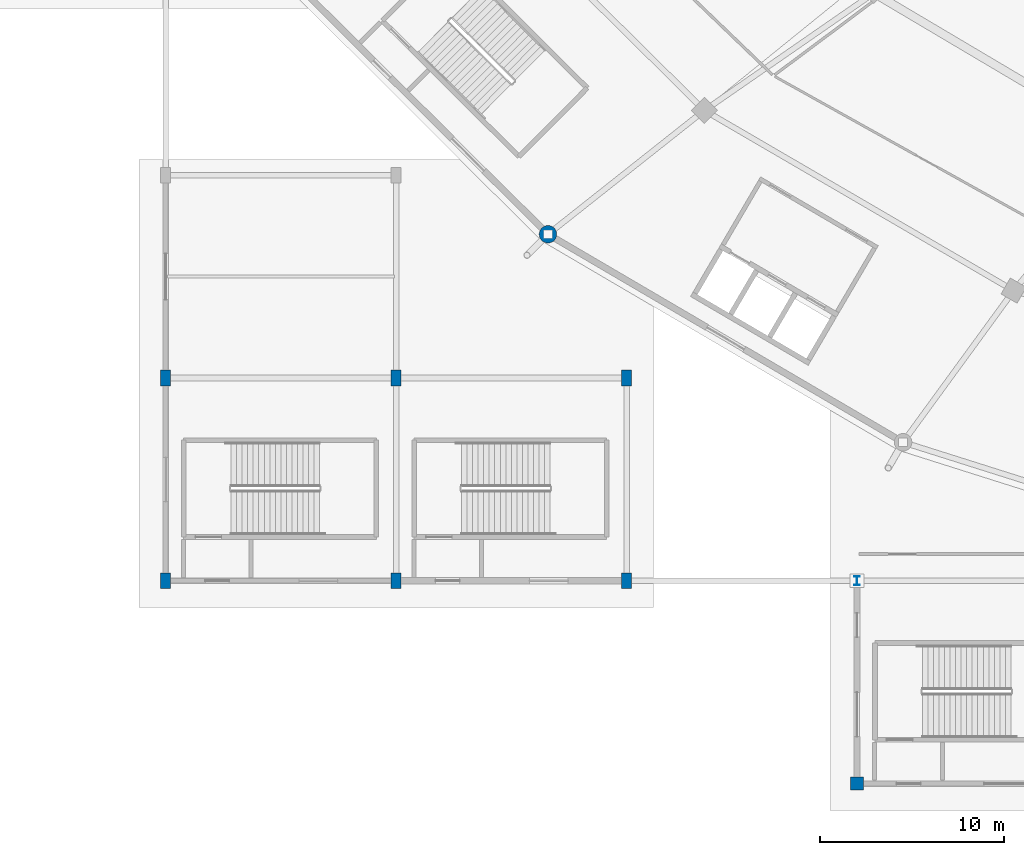
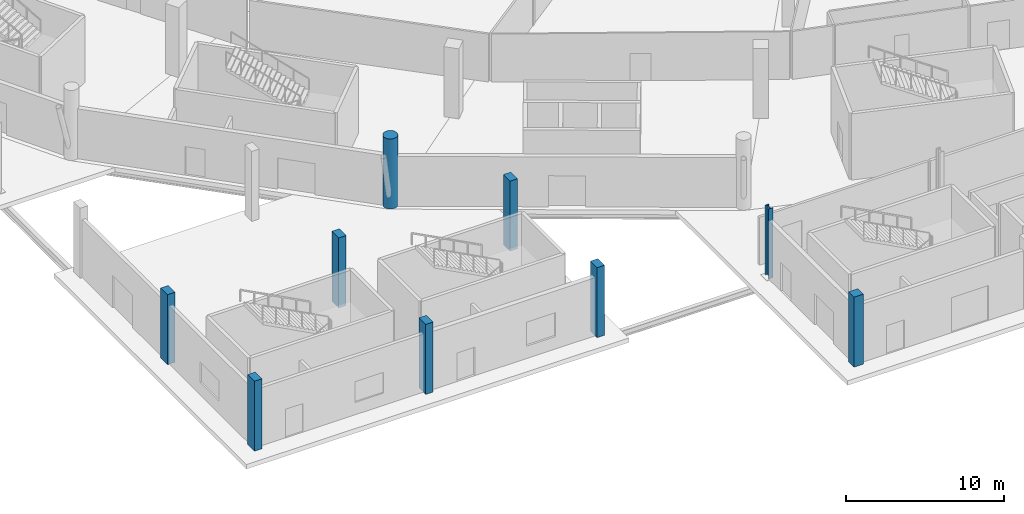
# One storey, part 1 of 82: 9 columns.
"""IFC4 building model written with IfcOpenShell, lengths in metres."""

from ifc_helpers import new_model, si_unit, direction, frame, origin, origin_2d, place, context, subcontext, project, spatial, rectangle, circle, i_section, extrude, material, material_profile, profile_set, type_object, element, save


model = new_model("IFC4")

# Units and contexts
model_context = context("Model", 3, precision=1e-05, world=origin(), true_north=direction((0.0, 1.0)))
body_context = subcontext(model_context, "Body", "Model", "MODEL_VIEW")
ifc_project = project(units=[si_unit("LENGTHUNIT", "METRE"), si_unit("AREAUNIT", "SQUARE_METRE"), si_unit("VOLUMEUNIT", "CUBIC_METRE"), si_unit("PLANEANGLEUNIT", "RADIAN"), si_unit("MASSUNIT", "GRAM", prefix="KILO")], contexts=[model_context])

# Site, building, storey
site_placement = place(None, origin())
site = spatial("IfcSite", under=ifc_project, at=site_placement, CompositionType="ELEMENT")
building_placement = place(site_placement, origin())
building = spatial("IfcBuilding", under=site, at=building_placement, Name="Zlatoyarsky Gate Stadium", CompositionType="ELEMENT")
storey_placement = place(building_placement, origin())
storey = spatial("IfcBuildingStorey", under=building, at=storey_placement, Name="L00", CompositionType="ELEMENT", Elevation=0.0)

# Columns
ifc_material_1 = material(Name="Concrete C40/50", Category="concrete")
ifc_material_profile_1 = material_profile(ifc_material_1, circle(Radius=0.47509765625, at=origin_2d()), Name="RC COL D950")
ifc_profile_set_1 = profile_set([ifc_material_profile_1], Name="Concrete C40/50")
column_type_1 = type_object("IfcColumnType", Name="CONCRETE CIRCULAR COLUMN D950", PredefinedType="COLUMN", material=ifc_profile_set_1)
column_1_placement = place(storey_placement, frame((45.239013671875, 29.79541015625, 0.0), z_axis=(0.0, 0.0, 1.0), x_axis=(-0.707106781187, -0.707106781187, 0.0)))
element("IfcColumn", 1, at=column_1_placement, inside=storey, type_object=column_type_1, Name="Column RC-CD95 RC-15 on L00", PredefinedType="COLUMN", context=body_context, shape_type="SweptSolid", body=[
    extrude(circle(Radius=0.47509765625, at=origin_2d()), origin(), (0.0, 0.0, 1.0), 5.39990234375),
])
ifc_material_profile_2 = material_profile(ifc_material_1, rectangle(XDim=0.699951171875, YDim=0.699951171875, at=origin_2d()), Name="RC COL 700X700")
ifc_profile_set_2 = profile_set([ifc_material_profile_2], Name="Concrete C40/50")
column_type_2 = type_object("IfcColumnType", Name="CONCRETE COLUMN 700X700", PredefinedType="COLUMN", material=ifc_profile_set_2)
column_2_placement = place(storey_placement, frame((62.0, 0.0, 0.0), z_axis=(0.0, 0.0, 1.0), x_axis=(1.0, 0.0, 0.0)))
element("IfcColumn", 2, at=column_2_placement, inside=storey, type_object=column_type_2, Name="Column RC-C70 WG-6-A on L00", PredefinedType="COLUMN", context=body_context, shape_type="SweptSolid", body=[
    extrude(rectangle(XDim=0.699951171875, YDim=0.699951171875, at=origin_2d()), origin(), (0.0, 0.0, 1.0), 5.39990234375),
])
ifc_material_profile_3 = material_profile(ifc_material_1, rectangle(XDim=0.550048828125, YDim=0.85009765625, at=origin_2d()), Name="RC PILASTER 550X850")
ifc_profile_set_3 = profile_set([ifc_material_profile_3], Name="Concrete C40/50")
column_type_3 = type_object("IfcColumnType", Name="CONCRETE PORTAL PILASTER 550X850", PredefinedType="PILASTER", material=ifc_profile_set_3)
for number, where, z_axis, x_axis, name in (
    (3, (24.5, 11.0, 0.0), (0.0, 0.0, 1.0), (1.0, 0.0, 0.0), "Column RC-PL85 WG-3-B on L00"),
    (4, (24.5, 22.0, 0.0), (0.0, 0.0, 1.0), (1.0, 0.0, 0.0), "Column RC-PL85 WG-3-C on L00"),
    (5, (37.0, 11.0, 0.0), (0.0, 0.0, 1.0), (1.0, 0.0, 0.0), "Column RC-PL85 WG-4-B on L00"),
    (6, (37.0, 22.0, 0.0), (0.0, 0.0, 1.0), (1.0, 0.0, 0.0), "Column RC-PL85 WG-4-C on L00"),
    (7, (49.5, 11.0, 0.0), (0.0, 0.0, 1.0), (1.0, 0.0, 0.0), "Column RC-PL85 WG-5-B on L00"),
    (8, (49.5, 22.0, 0.0), (0.0, 0.0, 1.0), (1.0, 0.0, 0.0), "Column RC-PL85 WG-5-C on L00"),
):
    element("IfcColumn", number, at=place(storey_placement, frame(where, z_axis=z_axis, x_axis=x_axis)), inside=storey, type_object=column_type_3, Name=name, PredefinedType="PILASTER", context=body_context, shape_type="SweptSolid", body=[
        extrude(rectangle(XDim=0.550048828125, YDim=0.85009765625, at=origin_2d()), origin(), (0.0, 0.0, 1.0), 5.39990234375),
    ])
ifc_material_2 = material(Name="Steel S355", Category="steel")
ifc_material_profile_4 = material_profile(ifc_material_2, i_section(OverallWidth=0.300048828125, OverallDepth=0.5, WebThickness=0.014404296875, FlangeThickness=0.028076171875, FilletRadius=0.027099609375, at=origin_2d()), Name="HEB 500")
ifc_profile_set_4 = profile_set([ifc_material_profile_4], Name="Steel S355")
column_type_4 = type_object("IfcColumnType", Name="STEEL COLUMN HEB 500", PredefinedType="COLUMN", material=ifc_profile_set_4)
column_3_placement = place(storey_placement, frame((62.0, 11.0, 0.0), z_axis=(0.0, 0.0, 1.0), x_axis=(1.0, 0.0, 0.0)))
element("IfcColumn", 9, at=column_3_placement, inside=storey, type_object=column_type_4, Name="Column ST-C500 WG-6-B on L00", PredefinedType="COLUMN", context=body_context, shape_type="SweptSolid", body=[
    extrude(i_section(OverallWidth=0.300048828125, OverallDepth=0.5, WebThickness=0.014404296875, FlangeThickness=0.028076171875, FilletRadius=0.027099609375, at=origin_2d()), origin(), (0.0, 0.0, 1.0), 5.39990234375),
])

save(model, "model.ifc")
